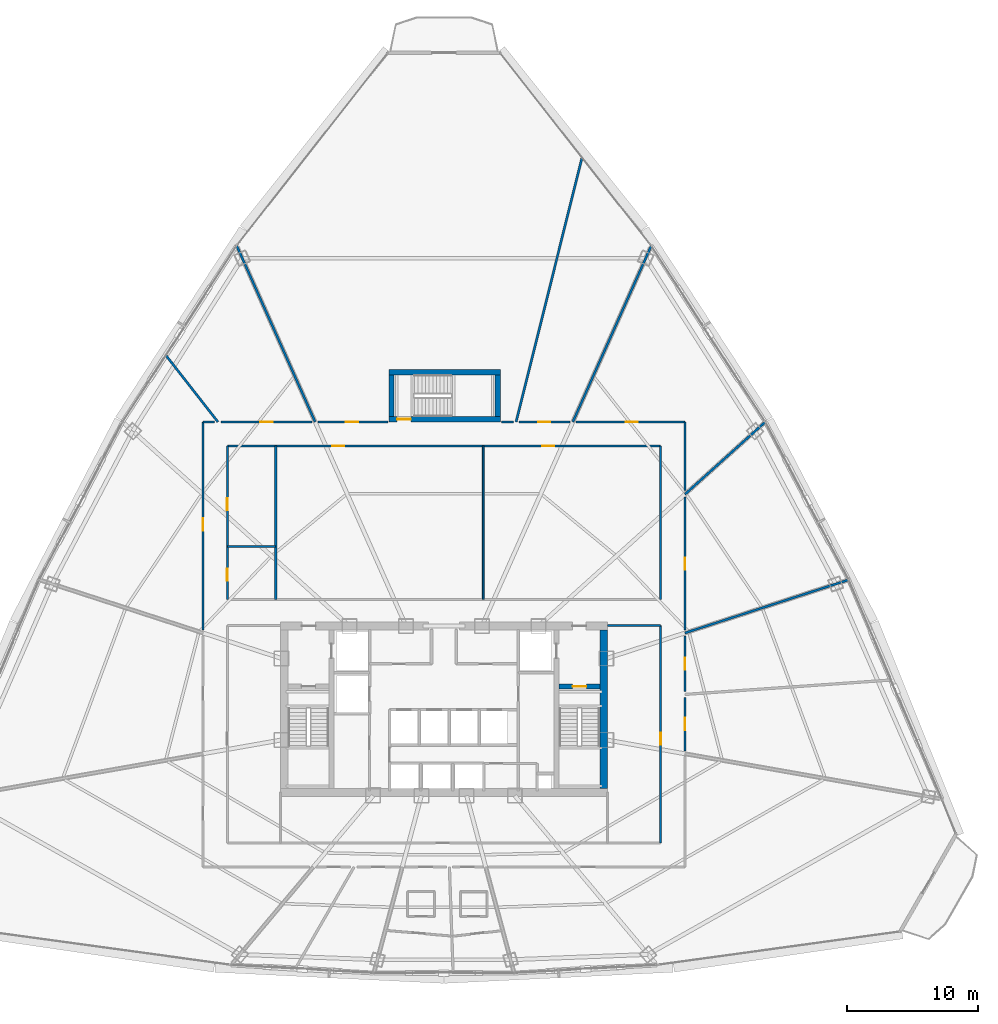
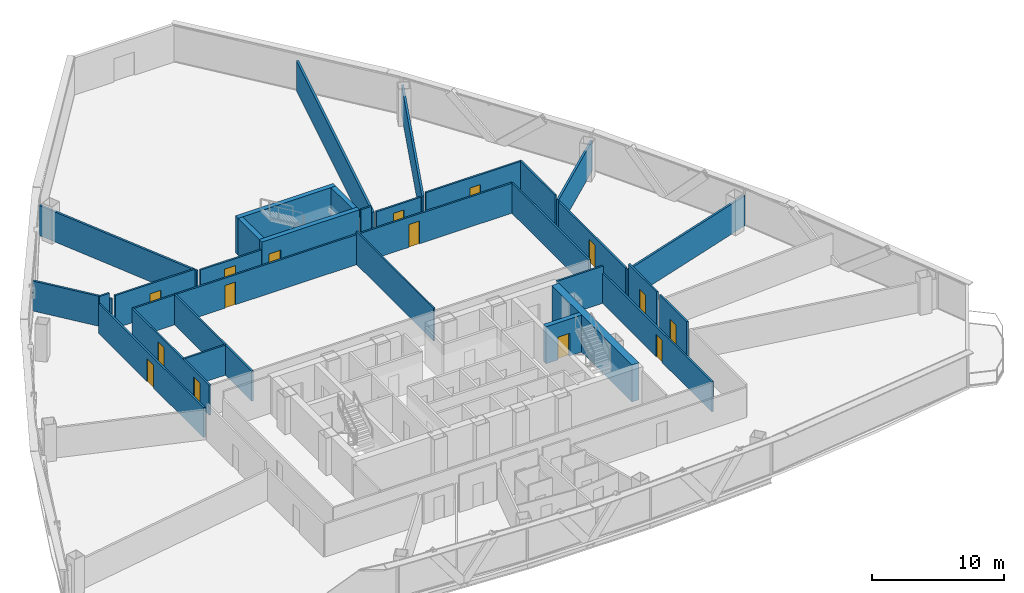
# One storey, part 34 of 39: 31 walls, 15 doors, 15 openings.
"""IFC4 building model written with IfcOpenShell, lengths in metres."""

import ifcopenshell
import ifcopenshell.guid

model = None  # the IFC model being written
_history = None  # IfcOwnerHistory: only IFC2X3 demands one
_inside = {}  # id of a spatial element -> (the spatial element, [elements in it])
_under = {}  # id of a project, library or spatial element -> (it, [spatial elements below it])
_declared = {}  # id of a project -> (the project, [libraries it declares])
_typed = {}  # id of a type object -> (the type object, [elements of that type])
_made_of = {}  # id of a material, layer set ... -> (it, [elements and type objects made of it])


def new_model(schema):
    """Start an empty IFC model of exactly this schema.

    Asked for "IFC4X3", IfcOpenShell would pick the latest addendum, in which some entities
    have other attributes; the version numbers below select the first issue.
    IFC2X3 requires an IfcOwnerHistory on every rooted entity: one is made here for all.
    """
    global model, _history
    if schema == "IFC4X3":
        model = ifcopenshell.file(schema_version=(4, 3, 0, 0))
    else:
        model = ifcopenshell.file(schema=schema)
    _inside.clear()
    _under.clear()
    _declared.clear()
    _typed.clear()
    _made_of.clear()
    _history = None
    if model.schema == "IFC2X3":
        org = make("IfcOrganization", Name="unknown")
        user = make(
            "IfcPersonAndOrganization",
            ThePerson=make("IfcPerson", FamilyName="unknown"),
            TheOrganization=org,
        )
        app = make(
            "IfcApplication",
            ApplicationDeveloper=org,
            Version="unknown",
            ApplicationFullName="unknown",
            ApplicationIdentifier="unknown",
        )
        _history = make(
            "IfcOwnerHistory",
            OwningUser=user,
            OwningApplication=app,
            ChangeAction="ADDED",
            CreationDate=0,
        )
    return model


def make(cls, **values):
    """One entity of the class cls with the attributes given. An attribute that is None is left unset."""
    return model.create_entity(
        cls, **{name: value for name, value in values.items() if value is not None}
    )


def rooted(cls, **values):
    """An entity with a GlobalId (a new one), such as an element, a storey or a relation."""
    return make(cls, GlobalId=ifcopenshell.guid.new(), OwnerHistory=_history, **values)


def si_unit(unit_type, name, prefix=None):
    """IfcSIUnit, for example si_unit("LENGTHUNIT", "METRE", prefix="MILLI")."""
    return make("IfcSIUnit", UnitType=unit_type, Prefix=prefix, Name=name)


def assignment(units):
    """IfcUnitAssignment: the units of a project."""
    return None if units is None else make("IfcUnitAssignment", Units=units)


def point(xyz):
    """IfcCartesianPoint."""
    return None if xyz is None else make("IfcCartesianPoint", Coordinates=xyz)


def direction(xyz):
    """IfcDirection."""
    return None if xyz is None else make("IfcDirection", DirectionRatios=xyz)


def frame(location, z_axis=None, x_axis=None):
    """IfcAxis2Placement3D, a coordinate frame: its origin and axes. An axis left out is left unset."""
    return make(
        "IfcAxis2Placement3D",
        Location=point(location),
        Axis=direction(z_axis),
        RefDirection=direction(x_axis),
    )


def frame_2d(location, x_axis=None):
    """IfcAxis2Placement2D, a coordinate frame in the plane: its origin and x axis."""
    return make(
        "IfcAxis2Placement2D", Location=point(location), RefDirection=direction(x_axis)
    )


def origin():
    """The frame at (0, 0, 0) with its axes left unset."""
    return frame((0.0, 0.0, 0.0))


def origin_with_axes():
    """The frame at (0, 0, 0) with the z axis (0, 0, 1) and the x axis (1, 0, 0) written out."""
    return frame((0.0, 0.0, 0.0), z_axis=(0.0, 0.0, 1.0), x_axis=(1.0, 0.0, 0.0))


def place(relative_to, where):
    """IfcLocalPlacement: puts the frame where relative to a parent placement (None: the world)."""
    return make(
        "IfcLocalPlacement", PlacementRelTo=relative_to, RelativePlacement=where
    )


def context(
    kind, dimensions, precision=None, world=None, true_north=None, identifier=None
):
    """IfcGeometricRepresentationContext, for example the 3D "Model" context."""
    return make(
        "IfcGeometricRepresentationContext",
        ContextIdentifier=identifier,
        ContextType=kind,
        CoordinateSpaceDimension=dimensions,
        Precision=precision,
        WorldCoordinateSystem=world,
        TrueNorth=true_north,
    )


def subcontext(parent, identifier, kind, view, scale=None):
    """IfcGeometricRepresentationSubContext, for example "Body" below "Model"."""
    return make(
        "IfcGeometricRepresentationSubContext",
        ContextIdentifier=identifier,
        ContextType=kind,
        ParentContext=parent,
        TargetScale=scale,
        TargetView=view,
    )


def project(units=None, contexts=None):
    """IfcProject with its units and contexts."""
    return rooted(
        "IfcProject",
        Name="project",
        RepresentationContexts=contexts,
        UnitsInContext=assignment(units),
    )


def spatial(cls, under=None, at=None, **own):
    """A site, building, storey or space (cls), placed at a placement, below another one or the project."""
    s = rooted(cls, ObjectPlacement=at, **own)
    if under is not None:
        _under.setdefault(under.id(), (under, []))[1].append(s)
    return s


def profile(cls, at=None, kind="AREA", **sizes):
    """A parametric profile (cls). Its sizes go by their IFC names, for example OverallWidth=200.0."""
    return make(cls, ProfileType=kind, Position=at, **sizes)


def rectangle(**sizes):
    """IfcRectangleProfileDef."""
    return profile("IfcRectangleProfileDef", **sizes)


def extrude(swept, where, along, depth):
    """IfcExtrudedAreaSolid: the profile swept, set in the frame where, extruded along a direction by depth."""
    return make(
        "IfcExtrudedAreaSolid",
        SweptArea=swept,
        Position=where,
        ExtrudedDirection=direction(along),
        Depth=depth,
    )


def shape(context_of_items, identifier, shape_type, items):
    """IfcShapeRepresentation: the items that make up one representation, for example the "Body"."""
    return make(
        "IfcShapeRepresentation",
        ContextOfItems=context_of_items,
        RepresentationIdentifier=identifier,
        RepresentationType=shape_type,
        Items=items,
    )


def source(mapping_origin, context_of_items, identifier, shape_type, items):
    """IfcRepresentationMap: a shape defined once, which mapped items show again and again."""
    return make(
        "IfcRepresentationMap",
        MappingOrigin=mapping_origin,
        MappedRepresentation=shape(context_of_items, identifier, shape_type, items),
    )


def transform(
    local_origin,
    x_axis=None,
    y_axis=None,
    z_axis=None,
    scale=None,
    scale2=None,
    scale3=None,
    uniform=True,
):
    """IfcCartesianTransformationOperator3D, or its non-uniform kind. x_axis, y_axis, z_axis: its Axis1, 2, 3."""
    if uniform:
        return make(
            "IfcCartesianTransformationOperator3D",
            Axis1=direction(x_axis),
            Axis2=direction(y_axis),
            LocalOrigin=point(local_origin),
            Scale=scale,
            Axis3=direction(z_axis),
        )
    return make(
        "IfcCartesianTransformationOperator3DnonUniform",
        Axis1=direction(x_axis),
        Axis2=direction(y_axis),
        LocalOrigin=point(local_origin),
        Scale=scale,
        Axis3=direction(z_axis),
        Scale2=scale2,
        Scale3=scale3,
    )


def mapped(mapping_source, mapping_target):
    """IfcMappedItem: shows the shape of a source again, moved by a transform."""
    return make(
        "IfcMappedItem", MappingSource=mapping_source, MappingTarget=mapping_target
    )


def material(Name=None, Category=None):
    """IfcMaterial."""
    return make("IfcMaterial", Name=Name, Category=Category)


def layer(
    of_material, thickness, ventilated=None, Name=None, Category=None, Priority=None
):
    """IfcMaterialLayer: one layer of a wall or slab, of a material (None: an air gap)."""
    return make(
        "IfcMaterialLayer",
        Material=of_material,
        LayerThickness=thickness,
        IsVentilated=ventilated,
        Name=Name,
        Category=Category,
        Priority=Priority,
    )


def layer_set(layers, Name=None):
    """IfcMaterialLayerSet."""
    return make("IfcMaterialLayerSet", MaterialLayers=layers, LayerSetName=Name)


def made_of(thing, what):
    """Note that an element or type object is made of a material, layer set ...; save() writes the relation."""
    if what is not None:
        _made_of.setdefault(what.id(), (what, []))[1].append(thing)
    return thing


def type_object(cls, material=None, **own):
    """A type object (cls), such as IfcWallType, which elements share."""
    return made_of(rooted(cls, **own), material)


def element(
    cls,
    number,
    at=None,
    inside=None,
    cuts=None,
    type_object=None,
    material=None,
    context=None,
    identifier="Body",
    shape_type=None,
    held_by="IfcProductDefinitionShape",
    body=None,
    shapes=None,
    **own,
):
    """One element of the class cls, such as IfcWall. Its Tag is "e" and its number.

    at: its placement. inside: the storey or other place that contains it. cuts: it is an
    opening in that element (IfcRelVoidsElement). A single representation is given by context,
    identifier, shape_type and body (its items); several are given by shapes. held_by: the class
    of the entity that holds the representations. save() writes the other relations.
    """
    e = rooted(cls, Tag="e%d" % number, ObjectPlacement=at, **own)
    if body is not None:
        shapes = [shape(context, identifier, shape_type, body)]
    if shapes is not None:
        e.Representation = make(held_by, Representations=shapes)
    if inside is not None:
        _inside.setdefault(inside.id(), (inside, []))[1].append(e)
    if cuts is not None:
        rooted(
            "IfcRelVoidsElement", RelatingBuildingElement=cuts, RelatedOpeningElement=e
        )
    if type_object is not None:
        _typed.setdefault(type_object.id(), (type_object, []))[1].append(e)
    return made_of(e, material)


def fill(opening, filler):
    """IfcRelFillsElement: the door or window that sits in an opening."""
    return rooted(
        "IfcRelFillsElement",
        RelatingOpeningElement=opening,
        RelatedBuildingElement=filler,
    )


def aggregate(whole, parts):
    """IfcRelAggregates: a whole, such as a stair, and the parts it consists of."""
    return rooted("IfcRelAggregates", RelatingObject=whole, RelatedObjects=parts)


def save(model, path):
    """Write the relations noted so far, then the file.

    IfcRelAggregates (storeys below a building ...), IfcRelContainedInSpatialStructure (elements
    in a storey), IfcRelDefinesByType, IfcRelAssociatesMaterial and IfcRelDeclares: one each for
    every whole, place, type object, material and project.
    """
    for whole, parts in _under.values():
        aggregate(whole, parts)
    for where, things in _inside.values():
        rooted(
            "IfcRelContainedInSpatialStructure",
            RelatedElements=things,
            RelatingStructure=where,
        )
    for kind, things in _typed.values():
        rooted("IfcRelDefinesByType", RelatedObjects=things, RelatingType=kind)
    for what, things in _made_of.values():
        rooted("IfcRelAssociatesMaterial", RelatedObjects=things, RelatingMaterial=what)
    for by, libraries in _declared.values():
        rooted("IfcRelDeclares", RelatingContext=by, RelatedDefinitions=libraries)
    model.write(path)


model = new_model("IFC4")

# Units and contexts
model_context = context("Model", 3, precision=1e-05, world=origin(), true_north=direction((0.0, 1.0)))
body_context = subcontext(model_context, "Body", "Model", "MODEL_VIEW")
ifc_project = project(units=[si_unit("LENGTHUNIT", "METRE"), si_unit("AREAUNIT", "SQUARE_METRE"), si_unit("VOLUMEUNIT", "CUBIC_METRE"), si_unit("PLANEANGLEUNIT", "RADIAN"), si_unit("MASSUNIT", "GRAM", prefix="KILO"), si_unit("THERMODYNAMICTEMPERATUREUNIT", "KELVIN"), si_unit("POWERUNIT", "WATT")], contexts=[model_context])

# Site, building, storey
site_placement = place(None, origin())
site = spatial("IfcSite", under=ifc_project, at=site_placement, CompositionType="ELEMENT")
building_placement = place(site_placement, origin())
building = spatial("IfcBuilding", under=site, at=building_placement, Name="Yunzhuo Pagoda Commons", CompositionType="ELEMENT")
storey_placement = place(building_placement, frame((0.0, 0.0, 166.6298828125)))
storey = spatial("IfcBuildingStorey", under=building, at=storey_placement, Name="L42", CompositionType="ELEMENT", Elevation=166.6298828125)

# Wall
ifc_material_1 = material(Name="Concrete C60", Category="concrete")
ifc_layer_1 = layer(ifc_material_1, 0.60009765625)
ifc_layer_set_1 = layer_set([ifc_layer_1], Name="Concrete C60")
wall_type_1 = type_object("IfcWallType", Name="W-C02 Mid Core Shear Wall 600", PredefinedType="SHEAR", material=ifc_layer_set_1)
wall_1_placement = place(storey_placement, frame((60.199951171875, 27.800048828125, 0.0), z_axis=(0.0, 0.0, 1.0), x_axis=(0.0, 1.0, 0.0)))
element("IfcWall", 1, at=wall_1_placement, inside=storey, type_object=wall_type_1, Name="L42 core shear wall E", PredefinedType="SHEAR", context=body_context, shape_type="SweptSolid", body=[
    extrude(rectangle(XDim=12.099853515625, YDim=0.60009765625, at=frame_2d((6.0498046875, 0.0))), origin(), (0.0, 0.0, 1.0), 3.420166015625),
])

# Wall, openings, doors
ifc_material_2 = material(Name="Gypsum plasterboard on acoustic stud")
ifc_layer_2 = layer(ifc_material_2, 0.155029296875)
ifc_layer_set_2 = layer_set([ifc_layer_2], Name="Gypsum plasterboard on acoustic stud")
wall_type_2 = type_object("IfcWallType", Name="W-COR2 Mid-Zone Rated Corridor Wall 155", PredefinedType="PARTITIONING", material=ifc_layer_set_2)
wall_2_placement = place(storey_placement, frame((31.449951171875, 53.949951171875, 0.0), z_axis=(0.0, 0.0, 1.0), x_axis=(1.0, 0.0, 0.0)))
wall_2 = element("IfcWall", 2, at=wall_2_placement, inside=storey, type_object=wall_type_2, Name="L42 interior wall IW-L42-MCNN", PredefinedType="PARTITIONING", context=body_context, shape_type="SweptSolid", body=[
    extrude(rectangle(XDim=33.10009765625, YDim=0.155029296875, at=frame_2d((16.550048828125, 0.0))), origin(), (0.0, 0.0, 1.0), 2.77001953125),
])
opening_1_placement = place(wall_2_placement, frame((8.0, 0.0, 0.0)))
opening_1 = element("IfcOpeningElement", 3, at=opening_1_placement, cuts=wall_2, Name="Opening D-04", PredefinedType="OPENING", context=body_context, shape_type="SweptSolid", body=[
    extrude(rectangle(XDim=0.919921875, YDim=2.10009765625, at=frame_2d((0.4599609375, 1.050048828125))), frame((0.0, 0.08740234375, 0.0), z_axis=(0.0, -1.0, 0.0), x_axis=(1.0, 0.0, 0.0)), (0.0, 0.0, 1.0), 0.175048828125),
])
opening_2_placement = place(wall_2_placement, frame((24.050048828125, 0.0, 0.0)))
opening_2 = element("IfcOpeningElement", 4, at=opening_2_placement, cuts=wall_2, Name="Opening D-04", PredefinedType="OPENING", context=body_context, shape_type="SweptSolid", body=[
    extrude(rectangle(XDim=0.919921875, YDim=2.10009765625, at=frame_2d((0.4599609375, 1.050048828125))), frame((0.0, 0.08740234375, 0.0), z_axis=(0.0, -1.0, 0.0), x_axis=(1.0, 0.0, 0.0)), (0.0, 0.0, 1.0), 0.175048828125),
])
ifc_material_3 = material(Name="Powder-coated aluminium and timber acoustic leaf", Category="wood")
door_type_1 = type_object("IfcDoorType", Name="D-04 Bedroom & Study Interior Door 920x2100", OperationType="NOTDEFINED", PredefinedType="DOOR", material=ifc_material_3)
shared_shape_1 = source(origin(), body_context, "Body", "SweptSolid", [
    extrude(rectangle(XDim=0.919921875, YDim=2.10009765625, at=frame_2d((0.4599609375, 1.050048828125))), frame((0.0, 0.02490234375, 0.0), z_axis=(0.0, -1.0, 0.0), x_axis=(1.0, 0.0, 0.0)), (0.0, 0.0, 1.0), 0.050048828125),
])
door_1_placement = place(opening_1_placement, origin_with_axes())
door_1 = element("IfcDoor", 5, at=door_1_placement, inside=storey, type_object=door_type_1, Name="L42 reading commons door", OperationType="SINGLE_SWING_LEFT", OverallHeight=2.10009765625, OverallWidth=0.919921875, PredefinedType="DOOR", context=body_context, shape_type="MappedRepresentation", body=[
    mapped(shared_shape_1, transform((0.0, 0.0, 0.0), scale=1.0)),
])
fill(opening_1, door_1)
door_2_placement = place(opening_2_placement, origin_with_axes())
door_2 = element("IfcDoor", 6, at=door_2_placement, inside=storey, type_object=door_type_1, Name="L42 seminar commons door", OperationType="SINGLE_SWING_RIGHT", OverallHeight=2.10009765625, OverallWidth=0.919921875, PredefinedType="DOOR", context=body_context, shape_type="MappedRepresentation", body=[
    mapped(shared_shape_1, transform((0.0, 0.0, 0.0), scale=1.0)),
])
fill(opening_2, door_2)

wall_3_placement = place(storey_placement, frame((31.449951171875, 42.25, 0.0), z_axis=(0.0, 0.0, 1.0), x_axis=(0.0, 1.0, 0.0)))
wall_3 = element("IfcWall", 7, at=wall_3_placement, inside=storey, type_object=wall_type_2, Name="L42 interior wall IW-L42-MCNW", PredefinedType="PARTITIONING", context=body_context, shape_type="SweptSolid", body=[
    extrude(rectangle(XDim=11.699951171875, YDim=0.155029296875, at=frame_2d((5.85009765625, 0.0))), origin(), (0.0, 0.0, 1.0), 2.77001953125),
])
opening_3_placement = place(wall_3_placement, frame((1.39990234375, 0.0, 0.0)))
opening_3 = element("IfcOpeningElement", 8, at=opening_3_placement, cuts=wall_3, Name="Opening D-11", PredefinedType="OPENING", context=body_context, shape_type="SweptSolid", body=[
    extrude(rectangle(XDim=0.93994140625, YDim=2.10009765625, at=frame_2d((0.469970703125, 1.050048828125))), frame((0.0, 0.08740234375, 0.0), z_axis=(0.0, -1.0, 0.0), x_axis=(1.0, 0.0, 0.0)), (0.0, 0.0, 1.0), 0.175048828125),
])
opening_4_placement = place(wall_3_placement, frame((6.800048828125, 0.0, 0.0)))
opening_4 = element("IfcOpeningElement", 9, at=opening_4_placement, cuts=wall_3, Name="Opening D-04", PredefinedType="OPENING", context=body_context, shape_type="SweptSolid", body=[
    extrude(rectangle(XDim=0.919921875, YDim=2.10009765625, at=frame_2d((0.4599609375, 1.050048828125))), frame((0.0, 0.08740234375, 0.0), z_axis=(0.0, -1.0, 0.0), x_axis=(1.0, 0.0, 0.0)), (0.0, 0.0, 1.0), 0.175048828125),
])
ifc_material_4 = material(Name="Galvanized fire-resisting metal leaf")
door_type_2 = type_object("IfcDoorType", Name="D-11 Accessible Washroom Fire Door 940x2100", OperationType="NOTDEFINED", PredefinedType="DOOR", material=ifc_material_4)
shared_shape_2 = source(origin(), body_context, "Body", "SweptSolid", [
    extrude(rectangle(XDim=0.93994140625, YDim=2.10009765625, at=frame_2d((0.469970703125, 1.050048828125))), frame((0.0, 0.02490234375, 0.0), z_axis=(0.0, -1.0, 0.0), x_axis=(1.0, 0.0, 0.0)), (0.0, 0.0, 1.0), 0.050048828125),
])
door_3_placement = place(opening_3_placement, origin_with_axes())
door_3 = element("IfcDoor", 10, at=door_3_placement, inside=storey, type_object=door_type_2, Name="L42 accessible WC door", OperationType="SINGLE_SWING_LEFT", OverallHeight=2.10009765625, OverallWidth=0.93994140625, PredefinedType="DOOR", context=body_context, shape_type="MappedRepresentation", body=[
    mapped(shared_shape_2, transform((0.0, 0.0, 0.0), scale=1.0)),
])
fill(opening_3, door_3)
door_4_placement = place(opening_4_placement, origin_with_axes())
door_4 = element("IfcDoor", 11, at=door_4_placement, inside=storey, type_object=door_type_1, Name="L42 laundry door", OperationType="SINGLE_SWING_RIGHT", OverallHeight=2.10009765625, OverallWidth=0.919921875, PredefinedType="DOOR", context=body_context, shape_type="MappedRepresentation", body=[
    mapped(shared_shape_1, transform((0.0, 0.0, 0.0), scale=1.0)),
])
fill(opening_4, door_4)

# Walls
for number, where, z_axis, x_axis, name in (
    (12, (64.550048828125, 42.25, 0.0), (0.0, 0.0, 1.0), (0.0, 1.0, 0.0), "L42 interior wall IW-L42-MCNE"),
    (13, (35.14990234375, 42.25, 0.0), (0.0, 0.0, 1.0), (0.0, 1.0, 0.0), "L42 interior wall IW-L42-MCWCE"),
):
    element("IfcWall", number, at=place(storey_placement, frame(where, z_axis=z_axis, x_axis=x_axis)), inside=storey, type_object=wall_type_2, Name=name, PredefinedType="PARTITIONING", context=body_context, shape_type="SweptSolid", body=[
        extrude(rectangle(XDim=11.699951171875, YDim=0.155029296875, at=frame_2d((5.85009765625, 0.0))), origin(), (0.0, 0.0, 1.0), 2.77001953125),
    ])
wall_4_placement = place(storey_placement, frame((31.449951171875, 46.300048828125, 0.0), z_axis=(0.0, 0.0, 1.0), x_axis=(1.0, 0.0, 0.0)))
element("IfcWall", 14, at=wall_4_placement, inside=storey, type_object=wall_type_2, Name="L42 interior wall IW-L42-MCWCN", PredefinedType="PARTITIONING", context=body_context, shape_type="SweptSolid", body=[
    extrude(rectangle(XDim=3.699951171875, YDim=0.155029296875, at=frame_2d((1.85009765625, 0.0))), origin(), (0.0, 0.0, 1.0), 2.77001953125),
])

# Wall, opening, door
wall_5_placement = place(storey_placement, frame((64.550048828125, 23.64990234375, 0.0), z_axis=(0.0, 0.0, 1.0), x_axis=(0.0, 1.0, 0.0)))
wall_5 = element("IfcWall", 15, at=wall_5_placement, inside=storey, type_object=wall_type_2, Name="L42 interior wall IW-L42-SFLE", PredefinedType="PARTITIONING", context=body_context, shape_type="SweptSolid", body=[
    extrude(rectangle(XDim=16.60009765625, YDim=0.155029296875, at=frame_2d((8.300048828125, 0.0))), origin(), (0.0, 0.0, 1.0), 2.77001953125),
])
opening_5_placement = place(wall_5_placement, frame((7.5, 0.0, 0.0)))
opening_5 = element("IfcOpeningElement", 16, at=opening_5_placement, cuts=wall_5, Name="Opening D-12", PredefinedType="OPENING", context=body_context, shape_type="SweptSolid", body=[
    extrude(rectangle(XDim=0.89990234375, YDim=2.080078125, at=frame_2d((0.449951171875, 1.0400390625))), frame((0.0, 0.08740234375, 0.0), z_axis=(0.0, -1.0, 0.0), x_axis=(1.0, 0.0, 0.0)), (0.0, 0.0, 1.0), 0.175048828125),
])
door_type_3 = type_object("IfcDoorType", Name="D-12 Quiet Study Interior Door 900x2080", OperationType="NOTDEFINED", PredefinedType="DOOR", material=ifc_material_3)
shared_shape_3 = source(origin(), body_context, "Body", "SweptSolid", [
    extrude(rectangle(XDim=0.89990234375, YDim=2.080078125, at=frame_2d((0.449951171875, 1.0400390625))), frame((0.0, 0.02490234375, 0.0), z_axis=(0.0, -1.0, 0.0), x_axis=(1.0, 0.0, 0.0)), (0.0, 0.0, 1.0), 0.050048828125),
])
door_5_placement = place(opening_5_placement, frame((0.89990234375, 0.0, 0.0), z_axis=(0.0, 0.0, 1.0), x_axis=(-1.0, 0.0, 0.0)))
door_5 = element("IfcDoor", 17, at=door_5_placement, inside=storey, type_object=door_type_3, Name="L42 east study workroom door", OperationType="SINGLE_SWING_RIGHT", OverallHeight=2.080078125, OverallWidth=0.89990234375, PredefinedType="DOOR", context=body_context, shape_type="MappedRepresentation", body=[
    mapped(shared_shape_3, transform((0.0, 0.0, 0.0), scale=1.0)),
])
fill(opening_5, door_5)

# Wall
wall_6_placement = place(storey_placement, frame((60.5, 40.25, 0.0), z_axis=(0.0, 0.0, 1.0), x_axis=(1.0, 0.0, 0.0)))
element("IfcWall", 18, at=wall_6_placement, inside=storey, type_object=wall_type_2, Name="L42 interior wall IW-L42-SFLNE", PredefinedType="PARTITIONING", context=body_context, shape_type="SweptSolid", body=[
    extrude(rectangle(XDim=4.050048828125, YDim=0.155029296875, at=frame_2d((2.02490234375, 0.0))), origin(), (0.0, 0.0, 1.0), 3.420166015625),
])

# Wall, opening, door
wall_7_placement = place(storey_placement, frame((29.60009765625, 39.909912109375, 0.0), z_axis=(0.0, 0.0, 1.0), x_axis=(0.0, 1.0, 0.0)))
wall_7 = element("IfcWall", 19, at=wall_7_placement, inside=storey, type_object=wall_type_2, Name="L42 interior wall IW-L42-CWL03", PredefinedType="PARTITIONING", context=body_context, shape_type="SweptSolid", body=[
    extrude(rectangle(XDim=15.89013671875, YDim=0.155029296875, at=frame_2d((7.945068359375, 0.0))), origin(), (0.0, 0.0, 1.0), 2.77001953125),
])
opening_6_placement = place(wall_7_placement, frame((7.58447265625, 0.0, 0.0)))
opening_6 = element("IfcOpeningElement", 20, at=opening_6_placement, cuts=wall_7, Name="Opening D-07", PredefinedType="OPENING", context=body_context, shape_type="SweptSolid", body=[
    extrude(rectangle(XDim=0.9599609375, YDim=2.1201171875, at=frame_2d((0.47998046875, 1.06005859375))), frame((0.0, 0.08740234375, 0.0), z_axis=(0.0, -1.0, 0.0), x_axis=(1.0, 0.0, 0.0)), (0.0, 0.0, 1.0), 0.175048828125),
])
door_type_4 = type_object("IfcDoorType", Name="D-07 Mid-Zone Suite Entrance Fire Door 960x2120", OperationType="NOTDEFINED", PredefinedType="DOOR", material=ifc_material_4)
shared_shape_4 = source(origin(), body_context, "Body", "SweptSolid", [
    extrude(rectangle(XDim=0.9599609375, YDim=2.1201171875, at=frame_2d((0.47998046875, 1.06005859375))), frame((0.0, 0.02490234375, 0.0), z_axis=(0.0, -1.0, 0.0), x_axis=(1.0, 0.0, 0.0)), (0.0, 0.0, 1.0), 0.050048828125),
])
door_6_placement = place(opening_6_placement, origin_with_axes())
door_6 = element("IfcDoor", 21, at=door_6_placement, inside=storey, type_object=door_type_4, Name="L42 Shared Resident Kitchen and Pantry door", OperationType="SINGLE_SWING_RIGHT", OverallHeight=2.1201171875, OverallWidth=0.9599609375, PredefinedType="DOOR", context=body_context, shape_type="MappedRepresentation", body=[
    mapped(shared_shape_4, transform((0.0, 0.0, 0.0), scale=1.0)),
])
fill(opening_6, door_6)

# Wall
wall_8_placement = place(storey_placement, frame((29.60009765625, 55.800048828125, 0.0), z_axis=(0.0, 0.0, 1.0), x_axis=(1.0, 0.0, 0.0)))
element("IfcWall", 22, at=wall_8_placement, inside=storey, type_object=wall_type_2, Name="L42 interior wall IW-L42-CWL04", PredefinedType="PARTITIONING", context=body_context, shape_type="SweptSolid", body=[
    extrude(rectangle(XDim=0.854248046875, YDim=0.155029296875, at=frame_2d((0.42724609375, 0.0))), origin(), (0.0, 0.0, 1.0), 3.420166015625),
])

# Wall, opening, door
wall_9_placement = place(storey_placement, frame((30.953369140625, 55.800048828125, 0.0), z_axis=(0.0, 0.0, 1.0), x_axis=(1.0, 0.0, 0.0)))
wall_9 = element("IfcWall", 23, at=wall_9_placement, inside=storey, type_object=wall_type_2, Name="L42 interior wall IW-L42-CWL05", PredefinedType="PARTITIONING", context=body_context, shape_type="SweptSolid", body=[
    extrude(rectangle(XDim=6.96630859375, YDim=0.155029296875, at=frame_2d((3.483154296875, 0.0))), origin(), (0.0, 0.0, 1.0), 3.02001953125),
])
opening_7_placement = place(wall_9_placement, frame((3.0185546875, 0.0, 0.0)))
opening_7 = element("IfcOpeningElement", 24, at=opening_7_placement, cuts=wall_9, Name="Opening D-07", PredefinedType="OPENING", context=body_context, shape_type="SweptSolid", body=[
    extrude(rectangle(XDim=0.9599609375, YDim=2.1201171875, at=frame_2d((0.47998046875, 1.06005859375))), frame((0.0, 0.08740234375, 0.0), z_axis=(0.0, -1.0, 0.0), x_axis=(1.0, 0.0, 0.0)), (0.0, 0.0, 1.0), 0.175048828125),
])
door_7_placement = place(opening_7_placement, origin_with_axes())
door_7 = element("IfcDoor", 25, at=door_7_placement, inside=storey, type_object=door_type_4, Name="L42 unit 06 entrance door", OperationType="SINGLE_SWING_LEFT", OverallHeight=2.1201171875, OverallWidth=0.9599609375, PredefinedType="DOOR", context=body_context, shape_type="MappedRepresentation", body=[
    mapped(shared_shape_4, transform((0.0, 0.0, 0.0), scale=1.0)),
])
fill(opening_7, door_7)

wall_10_placement = place(storey_placement, frame((38.380126953125, 55.800048828125, 0.0), z_axis=(0.0, 0.0, 1.0), x_axis=(1.0, 0.0, 0.0)))
wall_10 = element("IfcWall", 26, at=wall_10_placement, inside=storey, type_object=wall_type_2, Name="L42 interior wall IW-L42-CWL06", PredefinedType="PARTITIONING", context=body_context, shape_type="SweptSolid", body=[
    extrude(rectangle(XDim=5.328857421875, YDim=0.155029296875, at=frame_2d((2.66455078125, 0.0))), origin(), (0.0, 0.0, 1.0), 2.77001953125),
])
opening_8_placement = place(wall_10_placement, frame((2.114990234375, 0.0, 0.0)))
opening_8 = element("IfcOpeningElement", 27, at=opening_8_placement, cuts=wall_10, Name="Opening D-07", PredefinedType="OPENING", context=body_context, shape_type="SweptSolid", body=[
    extrude(rectangle(XDim=0.9599609375, YDim=2.1201171875, at=frame_2d((0.47998046875, 1.06005859375))), frame((0.0, 0.08740234375, 0.0), z_axis=(0.0, -1.0, 0.0), x_axis=(1.0, 0.0, 0.0)), (0.0, 0.0, 1.0), 0.175048828125),
])
door_8_placement = place(opening_8_placement, origin_with_axes())
door_8 = element("IfcDoor", 28, at=door_8_placement, inside=storey, type_object=door_type_4, Name="L42 unit 05 entrance door", OperationType="SINGLE_SWING_RIGHT", OverallHeight=2.1201171875, OverallWidth=0.9599609375, PredefinedType="DOOR", context=body_context, shape_type="MappedRepresentation", body=[
    mapped(shared_shape_4, transform((0.0, 0.0, 0.0), scale=1.0)),
])
fill(opening_8, door_8)

# Wall
wall_11_placement = place(storey_placement, frame((52.39111328125, 55.800048828125, 0.0), z_axis=(0.0, 0.0, 1.0), x_axis=(1.0, 0.0, 0.0)))
element("IfcWall", 29, at=wall_11_placement, inside=storey, type_object=wall_type_2, Name="L42 interior wall IW-L42-CWL07", PredefinedType="PARTITIONING", context=body_context, shape_type="SweptSolid", body=[
    extrude(rectangle(XDim=0.899169921875, YDim=0.155029296875, at=frame_2d((0.44970703125, 0.0))), origin(), (0.0, 0.0, 1.0), 3.420166015625),
])

# Wall, opening, door
wall_12_placement = place(storey_placement, frame((53.73681640625, 55.800048828125, 0.0), z_axis=(0.0, 0.0, 1.0), x_axis=(1.0, 0.0, 0.0)))
wall_12 = element("IfcWall", 30, at=wall_12_placement, inside=storey, type_object=wall_type_2, Name="L42 interior wall IW-L42-CWL08", PredefinedType="PARTITIONING", context=body_context, shape_type="SweptSolid", body=[
    extrude(rectangle(XDim=3.883056640625, YDim=0.155029296875, at=frame_2d((1.94140625, 0.0))), origin(), (0.0, 0.0, 1.0), 2.77001953125),
])
opening_9_placement = place(wall_12_placement, frame((1.47802734375, 0.0, 0.0)))
opening_9 = element("IfcOpeningElement", 31, at=opening_9_placement, cuts=wall_12, Name="Opening D-04", PredefinedType="OPENING", context=body_context, shape_type="SweptSolid", body=[
    extrude(rectangle(XDim=0.919921875, YDim=2.10009765625, at=frame_2d((0.4599609375, 1.050048828125))), frame((0.0, 0.08740234375, 0.0), z_axis=(0.0, -1.0, 0.0), x_axis=(1.0, 0.0, 0.0)), (0.0, 0.0, 1.0), 0.175048828125),
])
door_9_placement = place(opening_9_placement, origin_with_axes())
door_9 = element("IfcDoor", 32, at=door_9_placement, inside=storey, type_object=door_type_1, Name="L42 seminar room 04 door", OperationType="SINGLE_SWING_LEFT", OverallHeight=2.10009765625, OverallWidth=0.919921875, PredefinedType="DOOR", context=body_context, shape_type="MappedRepresentation", body=[
    mapped(shared_shape_1, transform((0.0, 0.0, 0.0), scale=1.0)),
])
fill(opening_9, door_9)

wall_13_placement = place(storey_placement, frame((58.080322265625, 55.800048828125, 0.0), z_axis=(0.0, 0.0, 1.0), x_axis=(1.0, 0.0, 0.0)))
wall_13 = element("IfcWall", 33, at=wall_13_placement, inside=storey, type_object=wall_type_2, Name="L42 interior wall IW-L42-CWL09", PredefinedType="PARTITIONING", context=body_context, shape_type="SweptSolid", body=[
    extrude(rectangle(XDim=8.319580078125, YDim=0.155029296875, at=frame_2d((4.15966796875, 0.0))), origin(), (0.0, 0.0, 1.0), 3.02001953125),
])
opening_10_placement = place(wall_13_placement, frame((3.809326171875, 0.0, 0.0)))
opening_10 = element("IfcOpeningElement", 34, at=opening_10_placement, cuts=wall_13, Name="Opening D-04", PredefinedType="OPENING", context=body_context, shape_type="SweptSolid", body=[
    extrude(rectangle(XDim=0.919921875, YDim=2.10009765625, at=frame_2d((0.4599609375, 1.050048828125))), frame((0.0, 0.08740234375, 0.0), z_axis=(0.0, -1.0, 0.0), x_axis=(1.0, 0.0, 0.0)), (0.0, 0.0, 1.0), 0.175048828125),
])
door_10_placement = place(opening_10_placement, origin_with_axes())
door_10 = element("IfcDoor", 35, at=door_10_placement, inside=storey, type_object=door_type_1, Name="L42 seminar room 03 door", OperationType="SINGLE_SWING_RIGHT", OverallHeight=2.10009765625, OverallWidth=0.919921875, PredefinedType="DOOR", context=body_context, shape_type="MappedRepresentation", body=[
    mapped(shared_shape_1, transform((0.0, 0.0, 0.0), scale=1.0)),
])
fill(opening_10, door_10)

# Wall
wall_14_placement = place(storey_placement, frame((66.39990234375, 55.800048828125, 0.0), z_axis=(0.0, 0.0, 1.0), x_axis=(0.0, -1.0, 0.0)))
element("IfcWall", 36, at=wall_14_placement, inside=storey, type_object=wall_type_2, Name="L42 interior wall IW-L42-CWL10", PredefinedType="PARTITIONING", context=body_context, shape_type="SweptSolid", body=[
    extrude(rectangle(XDim=5.236572265625, YDim=0.155029296875, at=frame_2d((2.6181640625, 0.0))), origin(), (0.0, 0.0, 1.0), 3.02001953125),
])

# Wall, opening, door
wall_15_placement = place(storey_placement, frame((66.39990234375, 50.047607421875, 0.0), z_axis=(0.0, 0.0, 1.0), x_axis=(0.0, -1.0, 0.0)))
wall_15 = element("IfcWall", 37, at=wall_15_placement, inside=storey, type_object=wall_type_2, Name="L42 interior wall IW-L42-CWL11", PredefinedType="PARTITIONING", context=body_context, shape_type="SweptSolid", body=[
    extrude(rectangle(XDim=10.1376953125, YDim=0.155029296875, at=frame_2d((5.06884765625, 0.0))), origin(), (0.0, 0.0, 1.0), 2.77001953125),
])
opening_11_placement = place(wall_15_placement, frame((4.61474609375, 0.0, 0.0)))
opening_11 = element("IfcOpeningElement", 38, at=opening_11_placement, cuts=wall_15, Name="Opening D-04", PredefinedType="OPENING", context=body_context, shape_type="SweptSolid", body=[
    extrude(rectangle(XDim=0.919921875, YDim=2.10009765625, at=frame_2d((0.4599609375, 1.050048828125))), frame((0.0, 0.08740234375, 0.0), z_axis=(0.0, -1.0, 0.0), x_axis=(1.0, 0.0, 0.0)), (0.0, 0.0, 1.0), 0.175048828125),
])
door_11_placement = place(opening_11_placement, origin_with_axes())
door_11 = element("IfcDoor", 39, at=door_11_placement, inside=storey, type_object=door_type_1, Name="L42 seminar room 02 door", OperationType="SINGLE_SWING_LEFT", OverallHeight=2.10009765625, OverallWidth=0.919921875, PredefinedType="DOOR", context=body_context, shape_type="MappedRepresentation", body=[
    mapped(shared_shape_1, transform((0.0, 0.0, 0.0), scale=1.0)),
])
fill(opening_11, door_11)

wall_16_placement = place(storey_placement, frame((66.39990234375, 39.458740234375, 0.0), z_axis=(0.0, 0.0, 1.0), x_axis=(0.0, -1.0, 0.0)))
wall_16 = element("IfcWall", 40, at=wall_16_placement, inside=storey, type_object=wall_type_2, Name="L42 interior wall IW-L42-CWL12", PredefinedType="PARTITIONING", context=body_context, shape_type="SweptSolid", body=[
    extrude(rectangle(XDim=4.25146484375, YDim=0.155029296875, at=frame_2d((2.125732421875, 0.0))), origin(), (0.0, 0.0, 1.0), 3.420166015625),
])
opening_12_placement = place(wall_16_placement, frame((1.666015625, 0.0, 0.0)))
opening_12 = element("IfcOpeningElement", 41, at=opening_12_placement, cuts=wall_16, Name="Opening D-04", PredefinedType="OPENING", context=body_context, shape_type="SweptSolid", body=[
    extrude(rectangle(XDim=0.919921875, YDim=2.10009765625, at=frame_2d((0.4599609375, 1.050048828125))), frame((0.0, 0.08740234375, 0.0), z_axis=(0.0, -1.0, 0.0), x_axis=(1.0, 0.0, 0.0)), (0.0, 0.0, 1.0), 0.175048828125),
])
door_12_placement = place(opening_12_placement, origin_with_axes())
door_12 = element("IfcDoor", 42, at=door_12_placement, inside=storey, type_object=door_type_1, Name="L42 seminar room 01 door", OperationType="SINGLE_SWING_RIGHT", OverallHeight=2.10009765625, OverallWidth=0.919921875, PredefinedType="DOOR", context=body_context, shape_type="MappedRepresentation", body=[
    mapped(shared_shape_1, transform((0.0, 0.0, 0.0), scale=1.0)),
])
fill(opening_12, door_12)

wall_17_placement = place(storey_placement, frame((66.39990234375, 34.766845703125, 0.0), z_axis=(0.0, 0.0, 1.0), x_axis=(0.0, -1.0, 0.0)))
wall_17 = element("IfcWall", 43, at=wall_17_placement, inside=storey, type_object=wall_type_2, Name="L42 interior wall IW-L42-CWL13", PredefinedType="PARTITIONING", context=body_context, shape_type="SweptSolid", body=[
    extrude(rectangle(XDim=4.091552734375, YDim=0.155029296875, at=frame_2d((2.0458984375, 0.0))), origin(), (0.0, 0.0, 1.0), 3.420166015625),
])
opening_13_placement = place(wall_17_placement, frame((1.57080078125, 0.0, 0.0)))
opening_13 = element("IfcOpeningElement", 44, at=opening_13_placement, cuts=wall_17, Name="Opening D-07", PredefinedType="OPENING", context=body_context, shape_type="SweptSolid", body=[
    extrude(rectangle(XDim=0.9599609375, YDim=2.1201171875, at=frame_2d((0.47998046875, 1.06005859375))), frame((0.0, 0.08740234375, 0.0), z_axis=(0.0, -1.0, 0.0), x_axis=(1.0, 0.0, 0.0)), (0.0, 0.0, 1.0), 0.175048828125),
])
door_13_placement = place(opening_13_placement, origin_with_axes())
door_13 = element("IfcDoor", 45, at=door_13_placement, inside=storey, type_object=door_type_4, Name="L42 unit 15 entrance door", OperationType="SINGLE_SWING_RIGHT", OverallHeight=2.1201171875, OverallWidth=0.9599609375, PredefinedType="DOOR", context=body_context, shape_type="MappedRepresentation", body=[
    mapped(shared_shape_4, transform((0.0, 0.0, 0.0), scale=1.0)),
])
fill(opening_13, door_13)

# Walls
ifc_layer_3 = layer(ifc_material_2, 0.1201171875)
ifc_layer_set_3 = layer_set([ifc_layer_3], Name="Gypsum plasterboard on acoustic stud")
wall_type_3 = type_object("IfcWallType", Name="W-PRT1 Suite & Bathroom Partition 120", PredefinedType="PARTITIONING", material=ifc_layer_set_3)
wall_18_placement = place(storey_placement, frame((51.0, 42.25, 0.0), z_axis=(0.0, 0.0, 1.0), x_axis=(0.0, 1.0, 0.0)))
element("IfcWall", 46, at=wall_18_placement, inside=storey, type_object=wall_type_3, Name="L42 interior wall IW-L42-MCDIV", PredefinedType="PARTITIONING", context=body_context, shape_type="SweptSolid", body=[
    extrude(rectangle(XDim=11.699951171875, YDim=0.1201171875, at=frame_2d((5.85009765625, 0.0))), origin(), (0.0, 0.0, 1.0), 3.02001953125),
])
ifc_layer_4 = layer(ifc_material_2, 0.175048828125)
ifc_layer_set_4 = layer_set([ifc_layer_4], Name="Gypsum plasterboard on acoustic stud")
wall_type_4 = type_object("IfcWallType", Name="W-PRT3 Mid-Zone Demising Wall 175", PredefinedType="PARTITIONING", material=ifc_layer_set_4)
wall_19_placement = place(storey_placement, frame((66.39990234375, 39.678466796875, 0.0), z_axis=(0.0, 0.0, 1.0), x_axis=(0.951058745875, 0.309010132349, 0.0)))
element("IfcWall", 47, at=wall_19_placement, inside=storey, type_object=wall_type_4, Name="L42 interior wall IW-L42-RAD02", PredefinedType="PARTITIONING", context=body_context, shape_type="SweptSolid", body=[
    extrude(rectangle(XDim=13.157958984375, YDim=0.175048828125, at=frame_2d((6.5791015625, 0.0))), origin(), (0.0, 0.0, 1.0), 2.77001953125),
])
wall_20_placement = place(storey_placement, frame((66.39990234375, 50.267333984375, 0.0), z_axis=(0.0, 0.0, 1.0), x_axis=(0.743138546471, 0.669137579836, 0.0)))
element("IfcWall", 48, at=wall_20_placement, inside=storey, type_object=wall_type_4, Name="L42 interior wall IW-L42-RAD03", PredefinedType="PARTITIONING", context=body_context, shape_type="SweptSolid", body=[
    extrude(rectangle(XDim=8.27099609375, YDim=0.175048828125, at=frame_2d((4.135498046875, 0.0))), origin(), (0.0, 0.0, 1.0), 2.77001953125),
])
wall_21_placement = place(storey_placement, frame((57.839599609375, 55.800048828125, 0.0), z_axis=(0.0, 0.0, 1.0), x_axis=(0.406737891531, 0.913544901793, 0.0)))
element("IfcWall", 49, at=wall_21_placement, inside=storey, type_object=wall_type_4, Name="L42 interior wall IW-L42-RAD04", PredefinedType="PARTITIONING", context=body_context, shape_type="SweptSolid", body=[
    extrude(rectangle(XDim=14.73583984375, YDim=0.175048828125, at=frame_2d((7.367919921875, 0.0))), origin(), (0.0, 0.0, 1.0), 2.77001953125),
])
wall_22_placement = place(storey_placement, frame((53.510009765625, 55.800048828125, 0.0), z_axis=(0.0, 0.0, 1.0), x_axis=(0.241934095485, 0.970292684422, 0.0)))
element("IfcWall", 50, at=wall_22_placement, inside=storey, type_object=wall_type_4, Name="L42 interior wall IW-L42-RAD05", PredefinedType="PARTITIONING", context=body_context, shape_type="SweptSolid", body=[
    extrude(rectangle(XDim=20.820068359375, YDim=0.175048828125, at=frame_2d((10.41015625, 0.0))), origin(), (0.0, 0.0, 1.0), 2.77001953125),
])
wall_23_placement = place(storey_placement, frame((38.160400390625, 55.800048828125, 0.0), z_axis=(0.0, 0.0, 1.0), x_axis=(-0.406737891531, 0.913544901793, 0.0)))
element("IfcWall", 51, at=wall_23_placement, inside=storey, type_object=wall_type_4, Name="L42 interior wall IW-L42-RAD06", PredefinedType="PARTITIONING", context=body_context, shape_type="SweptSolid", body=[
    extrude(rectangle(XDim=14.73583984375, YDim=0.175048828125, at=frame_2d((7.367919921875, 0.0))), origin(), (0.0, 0.0, 1.0), 2.77001953125),
])
wall_24_placement = place(storey_placement, frame((30.733642578125, 55.800048828125, 0.0), z_axis=(0.0, 0.0, 1.0), x_axis=(-0.615677005502, 0.787998619857, 0.0)))
element("IfcWall", 52, at=wall_24_placement, inside=storey, type_object=wall_type_4, Name="L42 interior wall IW-L42-RAD07", PredefinedType="PARTITIONING", context=body_context, shape_type="SweptSolid", body=[
    extrude(rectangle(XDim=6.467529296875, YDim=0.175048828125, at=frame_2d((3.23388671875, 0.0))), origin(), (0.0, 0.0, 1.0), 2.77001953125),
])

# Wall, opening, door
ifc_layer_5 = layer(ifc_material_1, 0.39990234375)
ifc_layer_set_5 = layer_set([ifc_layer_5], Name="Concrete C60")
wall_type_5 = type_object("IfcWallType", Name="W-S01 Internal Core Shear Web 400", PredefinedType="SHEAR", material=ifc_layer_set_5)
wall_25_placement = place(storey_placement, frame((56.800048828125, 35.60009765625, 0.0), z_axis=(0.0, 0.0, 1.0), x_axis=(1.0, 0.0, 0.0)))
wall_25 = element("IfcWall", 53, at=wall_25_placement, inside=storey, type_object=wall_type_5, Name="L42 core shear wall STE", PredefinedType="SHEAR", context=body_context, shape_type="SweptSolid", body=[
    extrude(rectangle(XDim=3.099853515625, YDim=0.39990234375, at=frame_2d((1.5498046875, 0.0))), origin(), (0.0, 0.0, 1.0), 3.420166015625),
])
opening_14_placement = place(wall_25_placement, frame((1.02001953125, 0.0, 0.0)))
opening_14 = element("IfcOpeningElement", 54, at=opening_14_placement, cuts=wall_25, Name="Opening D-01", PredefinedType="OPENING", context=body_context, shape_type="SweptSolid", body=[
    extrude(rectangle(XDim=1.050048828125, YDim=2.10009765625, at=frame_2d((0.52490234375, 1.050048828125))), frame((0.0, 0.2099609375, 0.0), z_axis=(0.0, -1.0, 0.0), x_axis=(1.0, 0.0, 0.0)), (0.0, 0.0, 1.0), 0.419921875),
])
door_type_5 = type_object("IfcDoorType", Name="D-01 Smokeproof Stair Fire Door 1050x2100", OperationType="NOTDEFINED", PredefinedType="DOOR", material=ifc_material_4)
shared_shape_5 = source(origin(), body_context, "Body", "SweptSolid", [
    extrude(rectangle(XDim=1.050048828125, YDim=2.10009765625, at=frame_2d((0.52490234375, 1.050048828125))), frame((0.0, 0.02490234375, 0.0), z_axis=(0.0, -1.0, 0.0), x_axis=(1.0, 0.0, 0.0)), (0.0, 0.0, 1.0), 0.050048828125),
])
door_14_placement = place(opening_14_placement, frame((1.050048828125, 0.0, 0.0), z_axis=(0.0, 0.0, 1.0), x_axis=(-1.0, 0.0, 0.0)))
door_14 = element("IfcDoor", 55, at=door_14_placement, inside=storey, type_object=door_type_5, Name="L42 Stair ST2 fire door", OperationType="SINGLE_SWING_RIGHT", OverallHeight=2.10009765625, OverallWidth=1.050048828125, PredefinedType="DOOR", context=body_context, shape_type="MappedRepresentation", body=[
    mapped(shared_shape_5, transform((0.0, 0.0, 0.0), scale=1.0)),
])
fill(opening_14, door_14)

# Wall
wall_26_placement = place(storey_placement, frame((43.800048828125, 59.60009765625, 0.0), z_axis=(0.0, 0.0, 1.0), x_axis=(1.0, 0.0, 0.0)))
element("IfcWall", 56, at=wall_26_placement, inside=storey, type_object=wall_type_5, Name="L42 ST3 structural stair wall N", PredefinedType="SHEAR", context=body_context, shape_type="SweptSolid", body=[
    extrude(rectangle(XDim=8.5, YDim=0.39990234375, at=frame_2d((4.25, 0.0))), origin(), (0.0, 0.0, 1.0), 3.420166015625),
])

# Wall, opening, door
wall_27_placement = place(storey_placement, frame((43.800048828125, 56.0, 0.0), z_axis=(0.0, 0.0, 1.0), x_axis=(1.0, 0.0, 0.0)))
wall_27 = element("IfcWall", 57, at=wall_27_placement, inside=storey, type_object=wall_type_5, Name="L42 ST3 structural stair wall S", PredefinedType="SHEAR", context=body_context, shape_type="SweptSolid", body=[
    extrude(rectangle(XDim=8.5, YDim=0.39990234375, at=frame_2d((4.25, 0.0))), origin(), (0.0, 0.0, 1.0), 3.420166015625),
])
opening_15_placement = place(wall_27_placement, frame((0.6201171875, 0.0, 0.0)))
opening_15 = element("IfcOpeningElement", 58, at=opening_15_placement, cuts=wall_27, Name="Opening D-01", PredefinedType="OPENING", context=body_context, shape_type="SweptSolid", body=[
    extrude(rectangle(XDim=1.050048828125, YDim=2.10009765625, at=frame_2d((0.52490234375, 1.050048828125))), frame((0.0, 0.2099609375, 0.0), z_axis=(0.0, -1.0, 0.0), x_axis=(1.0, 0.0, 0.0)), (0.0, 0.0, 1.0), 0.419921875),
])
door_15_placement = place(opening_15_placement, frame((1.050048828125, 0.0, 0.0), z_axis=(0.0, 0.0, 1.0), x_axis=(-1.0, 0.0, 0.0)))
door_15 = element("IfcDoor", 59, at=door_15_placement, inside=storey, type_object=door_type_5, Name="L42 Stair ST3 fire door", OperationType="SINGLE_SWING_LEFT", OverallHeight=2.10009765625, OverallWidth=1.050048828125, PredefinedType="DOOR", context=body_context, shape_type="MappedRepresentation", body=[
    mapped(shared_shape_5, transform((0.0, 0.0, 0.0), scale=1.0)),
])
fill(opening_15, door_15)

# Walls
for number, where, z_axis, x_axis, name in (
    (60, (44.0, 56.199951171875, 0.0), (0.0, 0.0, 1.0), (0.0, 1.0, 0.0), "L42 ST3 structural stair wall W"),
    (61, (52.10009765625, 56.199951171875, 0.0), (0.0, 0.0, 1.0), (0.0, 1.0, 0.0), "L42 ST3 structural stair wall E"),
):
    element("IfcWall", number, at=place(storey_placement, frame(where, z_axis=z_axis, x_axis=x_axis)), inside=storey, type_object=wall_type_5, Name=name, PredefinedType="SHEAR", context=body_context, shape_type="SweptSolid", body=[
        extrude(rectangle(XDim=3.199951171875, YDim=0.39990234375, at=frame_2d((1.60009765625, 0.0))), origin(), (0.0, 0.0, 1.0), 3.420166015625),
    ])

save(model, "model.ifc")
